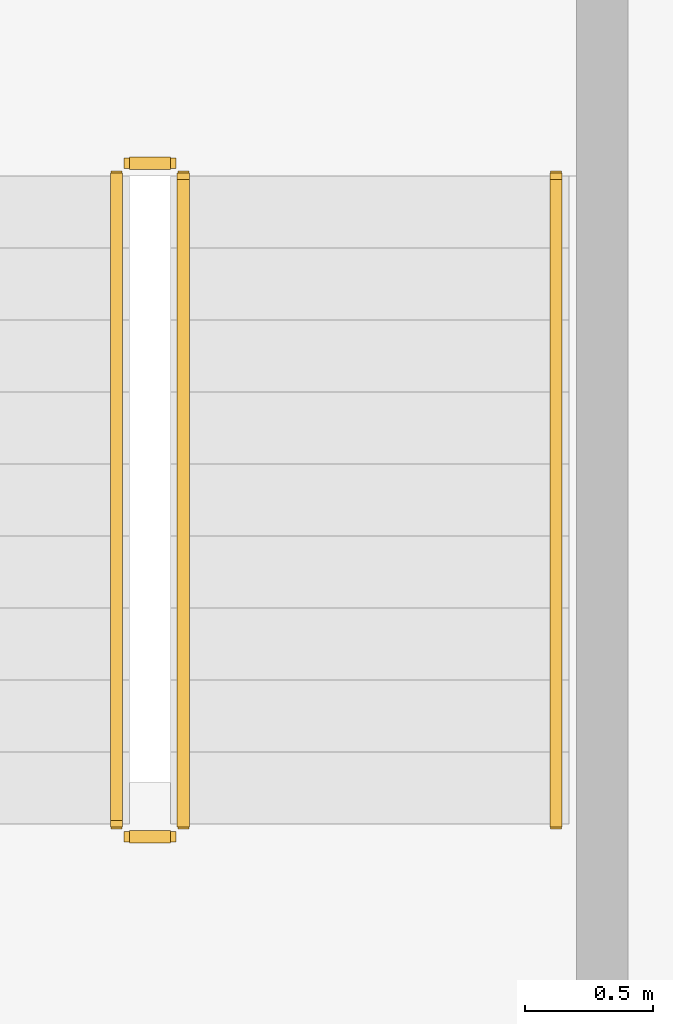
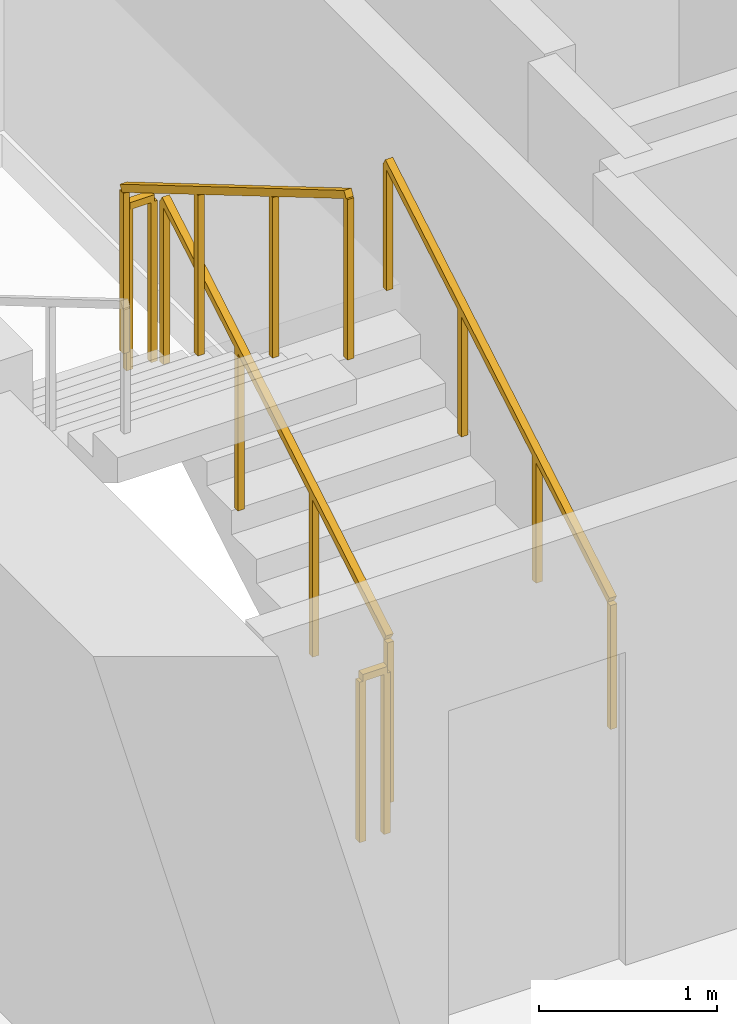
# One storey, part 24 of 26: 5 railings.
"""IFC4 building model written with IfcOpenShell, lengths in metres."""

from ifc_helpers import new_model, si_unit, direction, frame, origin, origin_2d, place, context, subcontext, project, spatial, rectangle, extrude, material, type_object, element, save


model = new_model("IFC4")

# Units and contexts
model_context = context("Model", 3, precision=1e-05, world=origin(), true_north=direction((0.0, 1.0)))
body_context = subcontext(model_context, "Body", "Model", "MODEL_VIEW")
ifc_project = project(units=[si_unit("LENGTHUNIT", "METRE"), si_unit("AREAUNIT", "SQUARE_METRE"), si_unit("VOLUMEUNIT", "CUBIC_METRE"), si_unit("PLANEANGLEUNIT", "RADIAN"), si_unit("MASSUNIT", "GRAM", prefix="KILO")], contexts=[model_context])

# Site, building, storey
site_placement = place(None, origin())
site = spatial("IfcSite", under=ifc_project, at=site_placement, CompositionType="ELEMENT")
building_placement = place(site_placement, origin())
building = spatial("IfcBuilding", under=site, at=building_placement, Name="Zarnakvel Exchange Tower", CompositionType="ELEMENT")
storey_placement = place(building_placement, frame((0.0, 0.0, 70.300048828125)))
storey = spatial("IfcBuildingStorey", under=building, at=storey_placement, Name="L19", CompositionType="ELEMENT", Elevation=70.300048828125)

# Railings
ifc_material_1 = material(Name="Brushed Stainless Steel", Category="steel")
railing_type_1 = type_object("IfcRailingType", Name="HR-01", PredefinedType="HANDRAIL", material=ifc_material_1)
railing_1_placement = place(storey_placement, frame((-10.590087890625, 5.050048828125, 0.1650390625)))
element("IfcRailing", 1, at=railing_1_placement, inside=storey, type_object=railing_type_1, Name="L19 ST-01 stair handrail 1", PredefinedType="HANDRAIL", context=body_context, shape_type="SweptSolid", body=[
    extrude(rectangle(XDim=0.048095703125, YDim=0.048095703125, at=origin_2d()), frame((0.0, 0.0, 0.8759765625), z_axis=(0.0, 0.861560626758, 0.507654692109), x_axis=(-1.0, 0.0, 0.0)), (0.0, 0.0, 1.0), 2.925048828125),
    extrude(rectangle(XDim=0.0419921875, YDim=0.0419921875, at=origin_2d()), origin(), (0.0, 0.0, 1.0), 0.851806640625),
    extrude(rectangle(XDim=0.0419921875, YDim=0.0419921875, at=origin_2d()), frame((0.0, 0.840087890625, 0.494873046875)), (0.0, 0.0, 1.0), 0.851806640625),
    extrude(rectangle(XDim=0.0419921875, YDim=0.0419921875, at=origin_2d()), frame((0.0, 1.679931640625, 0.989990234375)), (0.0, 0.0, 1.0), 0.851806640625),
    extrude(rectangle(XDim=0.0419921875, YDim=0.0419921875, at=origin_2d()), frame((0.0, 2.52001953125, 1.48486328125)), (0.0, 0.0, 1.0), 0.851806640625),
])
ifc_material_2 = material(Name="Architectural Bronze Anodised Aluminium", Category="aluminium")
railing_type_2 = type_object("IfcRailingType", Name="SG-01", PredefinedType="GUARDRAIL", material=ifc_material_2)
railing_2_placement = place(storey_placement, frame((-12.0400390625, 5.050048828125, 0.1650390625)))
element("IfcRailing", 2, at=railing_2_placement, inside=storey, type_object=railing_type_2, Name="L19 ST-01 stair guard 1", PredefinedType="GUARDRAIL", context=body_context, shape_type="SweptSolid", body=[
    extrude(rectangle(XDim=0.048095703125, YDim=0.048095703125, at=origin_2d()), frame((0.0, 0.0, 1.1259765625), z_axis=(0.0, 0.861560626758, 0.507654692109), x_axis=(-1.0, 0.0, 0.0)), (0.0, 0.0, 1.0), 2.925048828125),
    extrude(rectangle(XDim=0.0419921875, YDim=0.0419921875, at=origin_2d()), origin(), (0.0, 0.0, 1.0), 1.101806640625),
    extrude(rectangle(XDim=0.0419921875, YDim=0.0419921875, at=origin_2d()), frame((0.0, 0.840087890625, 0.494873046875)), (0.0, 0.0, 1.0), 1.101806640625),
    extrude(rectangle(XDim=0.0419921875, YDim=0.0419921875, at=origin_2d()), frame((0.0, 1.679931640625, 0.989990234375)), (0.0, 0.0, 1.0), 1.101806640625),
    extrude(rectangle(XDim=0.0419921875, YDim=0.0419921875, at=origin_2d()), frame((0.0, 2.52001953125, 1.48486328125)), (0.0, 0.0, 1.0), 1.101806640625),
])
railing_3_placement = place(storey_placement, frame((-12.090087890625, 7.6201171875, 1.64990234375)))
element("IfcRailing", 3, at=railing_3_placement, inside=storey, type_object=railing_type_2, Name="L19 ST-01 stair guard 2", PredefinedType="GUARDRAIL", context=body_context, shape_type="SweptSolid", body=[
    extrude(rectangle(XDim=0.048095703125, YDim=0.048095703125, at=origin_2d()), frame((0.0, 0.0, 1.1259765625), z_axis=(-1.0, 0.0, 0.0), x_axis=(0.0, -1.0, 0.0)), (0.0, 0.0, 1.0), 0.159912109375),
    extrude(rectangle(XDim=0.0419921875, YDim=0.0419921875, at=origin_2d()), origin(), (0.0, 0.0, 1.0), 1.101806640625),
    extrude(rectangle(XDim=0.0419921875, YDim=0.0419921875, at=origin_2d()), frame((-0.159912109375, 0.0, 0.0)), (0.0, 0.0, 1.0), 1.101806640625),
])
railing_4_placement = place(storey_placement, frame((-12.300048828125, 7.570068359375, 1.81494140625)))
element("IfcRailing", 4, at=railing_4_placement, inside=storey, type_object=railing_type_2, Name="L19 ST-01 stair guard 3", PredefinedType="GUARDRAIL", context=body_context, shape_type="SweptSolid", body=[
    extrude(rectangle(XDim=0.048095703125, YDim=0.048095703125, at=origin_2d()), frame((0.0, 0.0, 1.1259765625), z_axis=(0.0, -0.86152411907, 0.507716645641), x_axis=(1.0, 0.0, 0.0)), (0.0, 0.0, 1.0), 2.925048828125),
    extrude(rectangle(XDim=0.0419921875, YDim=0.0419921875, at=origin_2d()), origin(), (0.0, 0.0, 1.0), 1.101806640625),
    extrude(rectangle(XDim=0.0419921875, YDim=0.0419921875, at=origin_2d()), frame((0.0, -0.840087890625, 0.4951171875)), (0.0, 0.0, 1.0), 1.101806640625),
    extrude(rectangle(XDim=0.0419921875, YDim=0.0419921875, at=origin_2d()), frame((0.0, -1.679931640625, 0.989990234375)), (0.0, 0.0, 1.0), 1.101806640625),
    extrude(rectangle(XDim=0.0419921875, YDim=0.0419921875, at=origin_2d()), frame((0.0, -2.52001953125, 1.485107421875)), (0.0, 0.0, 1.0), 1.101806640625),
])
railing_5_placement = place(storey_placement, frame((-12.090087890625, 5.0, 0.0)))
element("IfcRailing", 5, at=railing_5_placement, inside=storey, type_object=railing_type_2, Name="L19 ST-01 stair guard 4", PredefinedType="GUARDRAIL", context=body_context, shape_type="SweptSolid", body=[
    extrude(rectangle(XDim=0.048095703125, YDim=0.048095703125, at=origin_2d()), frame((0.0, 0.0, 1.1259765625), z_axis=(-1.0, 0.0, 0.0), x_axis=(0.0, -1.0, 0.0)), (0.0, 0.0, 1.0), 0.159912109375),
    extrude(rectangle(XDim=0.0419921875, YDim=0.0419921875, at=origin_2d()), origin(), (0.0, 0.0, 1.0), 1.101806640625),
    extrude(rectangle(XDim=0.0419921875, YDim=0.0419921875, at=origin_2d()), frame((-0.159912109375, 0.0, 0.0)), (0.0, 0.0, 1.0), 1.101806640625),
])

save(model, "model.ifc")
